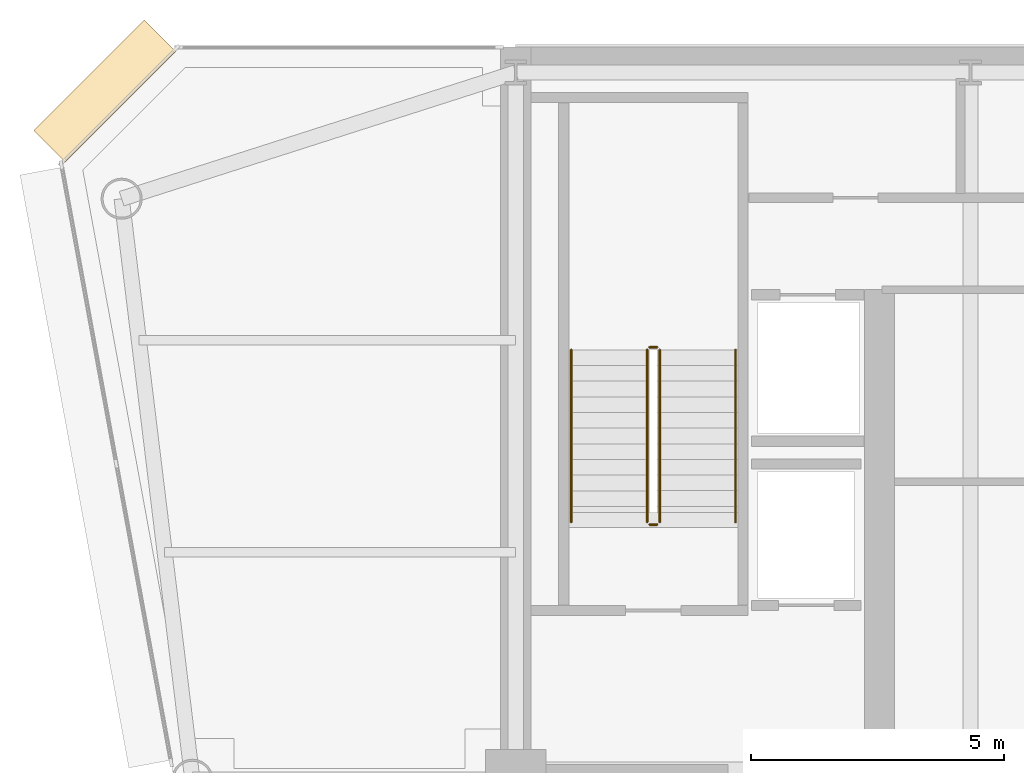
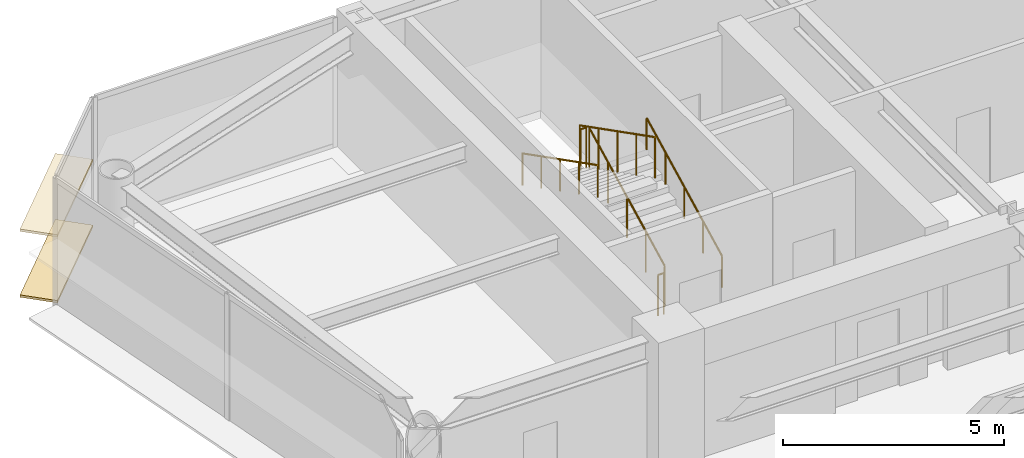
# One storey, part 14 of 16: 6 railings, 2 coverings.
"""IFC4 building model written with IfcOpenShell, lengths in metres."""

from ifc_helpers import new_model, si_unit, direction, frame, origin, origin_2d, place, context, subcontext, project, spatial, rectangle, circle, extrude, source, transform, mapped, material, layer, layer_set, type_object, element, save


model = new_model("IFC4")

# Units and contexts
model_context = context("Model", 3, precision=1e-05, world=origin(), true_north=direction((0.0, 1.0)))
body_context = subcontext(model_context, "Body", "Model", "MODEL_VIEW")
ifc_project = project(units=[si_unit("LENGTHUNIT", "METRE"), si_unit("AREAUNIT", "SQUARE_METRE"), si_unit("VOLUMEUNIT", "CUBIC_METRE"), si_unit("PLANEANGLEUNIT", "RADIAN"), si_unit("MASSUNIT", "GRAM", prefix="KILO")], contexts=[model_context])

# Site, building, storey
site_placement = place(None, origin())
site = spatial("IfcSite", under=ifc_project, at=site_placement, CompositionType="ELEMENT")
building_placement = place(site_placement, origin())
building = spatial("IfcBuilding", under=site, at=building_placement, Name="Vaeldorn Concourse Tower", CompositionType="ELEMENT")
storey_placement = place(building_placement, frame((0.0, 0.0, 188.0)))
storey = spatial("IfcBuildingStorey", under=building, at=storey_placement, Name="L48", CompositionType="ELEMENT", Elevation=188.0)

# Railings
ifc_material = material(Name="Anodised Bronze Aluminium", Category="aluminium")
railing_type_1 = type_object("IfcRailingType", Name="RL-STAIR-GUARD", PredefinedType="GUARDRAIL", material=ifc_material)
railing_1_placement = place(storey_placement, frame((16.85009765625, 41.60009765625, 0.158447265625)))
element("IfcRailing", 1, at=railing_1_placement, inside=storey, type_object=railing_type_1, Name="L48 ST-1 stair guard 1", PredefinedType="GUARDRAIL", context=body_context, shape_type="SweptSolid", body=[
    extrude(circle(Radius=0.02392578125, at=origin_2d()), frame((0.0, 0.0, 1.1259765625), z_axis=(0.0, 0.890581635807, 0.454823427236), x_axis=(-1.0, 0.0, 0.0)), (0.0, 0.0, 1.0), 3.828857421875),
    extrude(circle(Radius=0.02099609375, at=origin_2d()), origin(), (0.0, 0.0, 1.0), 1.101806640625),
    extrude(circle(Radius=0.02099609375, at=origin_2d()), frame((0.0, 0.8525390625, 0.435302734375)), (0.0, 0.0, 1.0), 1.101806640625),
    extrude(circle(Radius=0.02099609375, at=origin_2d()), frame((0.0, 1.705078125, 0.87060546875)), (0.0, 0.0, 1.0), 1.101806640625),
    extrude(circle(Radius=0.02099609375, at=origin_2d()), frame((0.0, 2.557373046875, 1.30615234375)), (0.0, 0.0, 1.0), 1.101806640625),
    extrude(circle(Radius=0.02099609375, at=origin_2d()), frame((0.0, 3.409912109375, 1.741455078125)), (0.0, 0.0, 1.0), 1.101806640625),
])
railing_2_placement = place(storey_placement, frame((16.800048828125, 45.06005859375, 1.89990234375)))
element("IfcRailing", 2, at=railing_2_placement, inside=storey, type_object=railing_type_1, Name="L48 ST-1 stair guard 2", PredefinedType="GUARDRAIL", context=body_context, shape_type="SweptSolid", body=[
    extrude(circle(Radius=0.02392578125, at=origin_2d()), frame((0.0, 0.0, 1.1259765625), z_axis=(-1.0, 0.0, 0.0), x_axis=(0.0, -1.0, 0.0)), (0.0, 0.0, 1.0), 0.150146484375),
    extrude(circle(Radius=0.02099609375, at=origin_2d()), origin(), (0.0, 0.0, 1.0), 1.101806640625),
    extrude(circle(Radius=0.02099609375, at=origin_2d()), frame((-0.150146484375, 0.0, 0.0)), (0.0, 0.0, 1.0), 1.101806640625),
])
railing_3_placement = place(storey_placement, frame((16.60009765625, 45.010009765625, 2.058349609375)))
element("IfcRailing", 3, at=railing_3_placement, inside=storey, type_object=railing_type_1, Name="L48 ST-1 stair guard 3", PredefinedType="GUARDRAIL", context=body_context, shape_type="SweptSolid", body=[
    extrude(circle(Radius=0.02392578125, at=origin_2d()), frame((0.0, 0.0, 1.1259765625), z_axis=(0.0, -0.890555807335, 0.454873997962), x_axis=(1.0, 0.0, 0.0)), (0.0, 0.0, 1.0), 3.828857421875),
    extrude(circle(Radius=0.02099609375, at=origin_2d()), origin(), (0.0, 0.0, 1.0), 1.101806640625),
    extrude(circle(Radius=0.02099609375, at=origin_2d()), frame((0.0, -0.8525390625, 0.435546875)), (0.0, 0.0, 1.0), 1.101806640625),
    extrude(circle(Radius=0.02099609375, at=origin_2d()), frame((0.0, -1.705078125, 0.870849609375)), (0.0, 0.0, 1.0), 1.101806640625),
    extrude(circle(Radius=0.02099609375, at=origin_2d()), frame((0.0, -2.557373046875, 1.30615234375)), (0.0, 0.0, 1.0), 1.101806640625),
    extrude(circle(Radius=0.02099609375, at=origin_2d()), frame((0.0, -3.409912109375, 1.74169921875)), (0.0, 0.0, 1.0), 1.101806640625),
])
railing_4_placement = place(storey_placement, frame((16.800048828125, 41.550048828125, 0.0)))
element("IfcRailing", 4, at=railing_4_placement, inside=storey, type_object=railing_type_1, Name="L48 ST-1 stair guard 4", PredefinedType="GUARDRAIL", context=body_context, shape_type="SweptSolid", body=[
    extrude(circle(Radius=0.02392578125, at=origin_2d()), frame((0.0, 0.0, 1.1259765625), z_axis=(-1.0, 0.0, 0.0), x_axis=(0.0, -1.0, 0.0)), (0.0, 0.0, 1.0), 0.150146484375),
    extrude(circle(Radius=0.02099609375, at=origin_2d()), origin(), (0.0, 0.0, 1.0), 1.101806640625),
    extrude(circle(Radius=0.02099609375, at=origin_2d()), frame((-0.150146484375, 0.0, 0.0)), (0.0, 0.0, 1.0), 1.101806640625),
])
railing_type_2 = type_object("IfcRailingType", Name="RL-STAIR-HANDRAIL", PredefinedType="HANDRAIL", material=ifc_material)
railing_5_placement = place(storey_placement, frame((18.35009765625, 41.60009765625, 0.158447265625)))
element("IfcRailing", 5, at=railing_5_placement, inside=storey, type_object=railing_type_2, Name="L48 ST-1 stair handrail 1", PredefinedType="HANDRAIL", context=body_context, shape_type="SweptSolid", body=[
    extrude(circle(Radius=0.02392578125, at=origin_2d()), frame((0.0, 0.0, 0.8759765625), z_axis=(0.0, 0.890581635807, 0.454823427236), x_axis=(-1.0, 0.0, 0.0)), (0.0, 0.0, 1.0), 3.828857421875),
    extrude(circle(Radius=0.02099609375, at=origin_2d()), origin(), (0.0, 0.0, 1.0), 0.851806640625),
    extrude(circle(Radius=0.02099609375, at=origin_2d()), frame((0.0, 0.8525390625, 0.435302734375)), (0.0, 0.0, 1.0), 0.851806640625),
    extrude(circle(Radius=0.02099609375, at=origin_2d()), frame((0.0, 1.705078125, 0.87060546875)), (0.0, 0.0, 1.0), 0.851806640625),
    extrude(circle(Radius=0.02099609375, at=origin_2d()), frame((0.0, 2.557373046875, 1.30615234375)), (0.0, 0.0, 1.0), 0.851806640625),
    extrude(circle(Radius=0.02099609375, at=origin_2d()), frame((0.0, 3.409912109375, 1.741455078125)), (0.0, 0.0, 1.0), 0.851806640625),
])
railing_6_placement = place(storey_placement, frame((15.10009765625, 45.010009765625, 2.058349609375)))
element("IfcRailing", 6, at=railing_6_placement, inside=storey, type_object=railing_type_2, Name="L48 ST-1 stair handrail 2", PredefinedType="HANDRAIL", context=body_context, shape_type="SweptSolid", body=[
    extrude(circle(Radius=0.02392578125, at=origin_2d()), frame((0.0, 0.0, 0.8759765625), z_axis=(0.0, -0.890555807335, 0.454873997962), x_axis=(1.0, 0.0, 0.0)), (0.0, 0.0, 1.0), 3.828857421875),
    extrude(circle(Radius=0.02099609375, at=origin_2d()), origin(), (0.0, 0.0, 1.0), 0.851806640625),
    extrude(circle(Radius=0.02099609375, at=origin_2d()), frame((0.0, -0.8525390625, 0.435546875)), (0.0, 0.0, 1.0), 0.851806640625),
    extrude(circle(Radius=0.02099609375, at=origin_2d()), frame((0.0, -1.705078125, 0.870849609375)), (0.0, 0.0, 1.0), 0.851806640625),
    extrude(circle(Radius=0.02099609375, at=origin_2d()), frame((0.0, -2.557373046875, 1.30615234375)), (0.0, 0.0, 1.0), 0.851806640625),
    extrude(circle(Radius=0.02099609375, at=origin_2d()), frame((0.0, -3.409912109375, 1.74169921875)), (0.0, 0.0, 1.0), 0.851806640625),
])

# Coverings
ifc_layer = layer(ifc_material, 0.06494140625)
ifc_layer_set = layer_set([ifc_layer], Name="Anodised Bronze Aluminium")
covering_type = type_object("IfcCoveringType", Name="SD-BRONZE-SUNSHADE", PredefinedType="USERDEFINED", material=ifc_layer_set)
shared_shape = source(origin(), body_context, "Body", "SweptSolid", [
    extrude(rectangle(XDim=3.0927734375, YDim=0.8798828125, at=origin_2d()), origin(), (0.0, 0.0, 1.0), 0.06494140625),
])
for number, where, z_axis, x_axis, name in (
    (7, (5.8671875, 50.1328125, 0.047607421875), (0.0, 0.0, 1.0), (-0.707106781187, -0.707106781187, 0.0), "Horizontal Bronze Sunshade L48-E10.1.1"),
    (8, (5.8671875, 50.1328125, 1.867431640625), (0.0, 0.0, 1.0), (-0.707106781187, -0.707106781187, 0.0), "Horizontal Bronze Sunshade L48-E10.1.2"),
):
    element("IfcCovering", number, at=place(storey_placement, frame(where, z_axis=z_axis, x_axis=x_axis)), inside=storey, type_object=covering_type, Name=name, ObjectType="SUNSHADE", PredefinedType="USERDEFINED", context=body_context, shape_type="MappedRepresentation", body=[
        mapped(shared_shape, transform((0.0, 0.0, 0.0), scale=1.0)),
    ])

save(model, "model.ifc")
